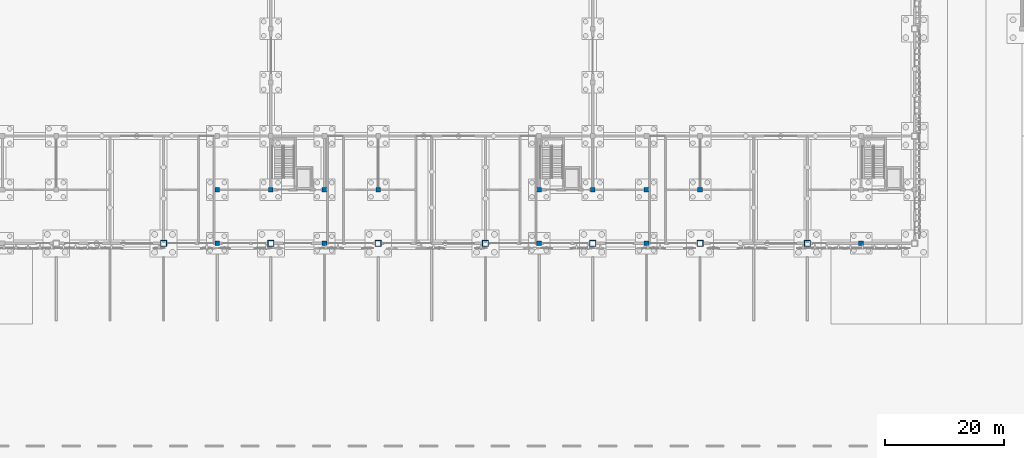
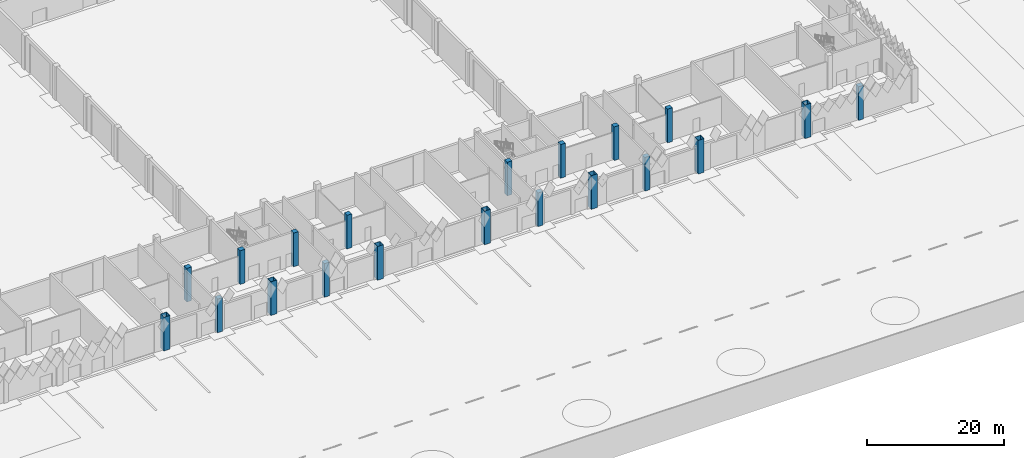
# One storey, part 20 of 198: 20 columns.
"""IFC4 building model written with IfcOpenShell, lengths in metres."""

from ifc_helpers import new_model, si_unit, direction, frame, origin, origin_2d, place, context, subcontext, project, spatial, rectangle, hollow_rectangle, extrude, material, material_profile, profile_set, type_object, element, save


model = new_model("IFC4")

# Units and contexts
model_context = context("Model", 3, precision=1e-05, world=origin(), true_north=direction((0.0, 1.0)))
body_context = subcontext(model_context, "Body", "Model", "MODEL_VIEW")
ifc_project = project(units=[si_unit("LENGTHUNIT", "METRE"), si_unit("AREAUNIT", "SQUARE_METRE"), si_unit("VOLUMEUNIT", "CUBIC_METRE"), si_unit("PLANEANGLEUNIT", "RADIAN"), si_unit("MASSUNIT", "GRAM", prefix="KILO")], contexts=[model_context])

# Site, building, storey
site_placement = place(None, origin())
site = spatial("IfcSite", under=ifc_project, at=site_placement, CompositionType="ELEMENT")
building_placement = place(site_placement, origin())
building = spatial("IfcBuilding", under=site, at=building_placement, Name="Opaline Strait Convention Centre", CompositionType="ELEMENT")
storey_placement = place(building_placement, origin())
storey = spatial("IfcBuildingStorey", under=building, at=storey_placement, Name="L00", CompositionType="ELEMENT", Elevation=0.0)

# Columns
ifc_material_1 = material(Name="Steel Q355B", Category="steel")
ifc_material_profile_1 = material_profile(ifc_material_1, hollow_rectangle(XDim=1.0, YDim=1.0, WallThickness=0.031982421875, at=origin_2d()), Name="BOX 1000x1000x32")
ifc_profile_set_1 = profile_set([ifc_material_profile_1], Name="Steel Q355B")
column_type_1 = type_object("IfcColumnType", Name="CFT column BOX 1000x1000x32 C60 fill", PredefinedType="COLUMN", material=ifc_profile_set_1)
for number, where, z_axis, x_axis, name in (
    (1, (135.0, 54.0, 0.0), (0.0, 0.0, 1.0), (1.0, 0.0, 0.0), "Roof column XC-10"),
    (2, (153.0, 54.0, 0.0), (0.0, 0.0, 1.0), (1.0, 0.0, 0.0), "Roof column XC-12"),
    (3, (171.0, 54.0, 0.0), (0.0, 0.0, 1.0), (1.0, 0.0, 0.0), "Roof column XC-14"),
    (4, (189.0, 54.0, 0.0), (0.0, 0.0, 1.0), (1.0, 0.0, 0.0), "Roof column XC-16"),
    (5, (207.0, 54.0, 0.0), (0.0, 0.0, 1.0), (1.0, 0.0, 0.0), "Roof column XC-18"),
    (6, (225.0, 54.0, 0.0), (0.0, 0.0, 1.0), (1.0, 0.0, 0.0), "Roof column XC-20"),
    (7, (243.0, 54.0, 0.0), (0.0, 0.0, 1.0), (1.0, 0.0, 0.0), "Roof column XC-22"),
):
    element("IfcColumn", number, at=place(storey_placement, frame(where, z_axis=z_axis, x_axis=x_axis)), inside=storey, type_object=column_type_1, Name=name, ObjectType="XC1", PredefinedType="COLUMN", context=body_context, shape_type="SweptSolid", body=[
        extrude(hollow_rectangle(XDim=1.0, YDim=1.0, WallThickness=0.031982421875, at=origin_2d()), origin(), (0.0, 0.0, 1.0), 6.0),
    ])
ifc_material_2 = material(Name="Concrete C40", Category="concrete")
ifc_material_profile_2 = material_profile(ifc_material_2, rectangle(XDim=0.800048828125, YDim=0.800048828125, at=origin_2d()), Name="RC 800x800")
ifc_profile_set_2 = profile_set([ifc_material_profile_2], Name="Concrete C40")
column_type_2 = type_object("IfcColumnType", Name="RC column 800x800 C40", PredefinedType="COLUMN", material=ifc_profile_set_2)
for number, where, z_axis, x_axis, name in (
    (8, (144.0, 54.0, 0.0), (0.0, 0.0, 1.0), (1.0, 0.0, 0.0), "Strip column XC-32"),
    (9, (162.0, 54.0, 0.0), (0.0, 0.0, 1.0), (1.0, 0.0, 0.0), "Strip column XC-33"),
    (10, (198.0, 54.0, 0.0), (0.0, 0.0, 1.0), (1.0, 0.0, 0.0), "Strip column XC-34"),
    (11, (216.0, 54.0, 0.0), (0.0, 0.0, 1.0), (1.0, 0.0, 0.0), "Strip column XC-35"),
    (12, (252.0, 54.0, 0.0), (0.0, 0.0, 1.0), (1.0, 0.0, 0.0), "Strip column XC-36"),
    (13, (144.0, 63.0, 0.0), (0.0, 0.0, 1.0), (1.0, 0.0, 0.0), "Strip column XC-40"),
    (14, (153.0, 63.0, 0.0), (0.0, 0.0, 1.0), (1.0, 0.0, 0.0), "Strip column XC-41"),
    (15, (162.0, 63.0, 0.0), (0.0, 0.0, 1.0), (1.0, 0.0, 0.0), "Strip column XC-42"),
    (16, (171.0, 63.0, 0.0), (0.0, 0.0, 1.0), (1.0, 0.0, 0.0), "Strip column XC-43"),
    (17, (198.0, 63.0, 0.0), (0.0, 0.0, 1.0), (1.0, 0.0, 0.0), "Strip column XC-44"),
    (18, (207.0, 63.0, 0.0), (0.0, 0.0, 1.0), (1.0, 0.0, 0.0), "Strip column XC-45"),
    (19, (216.0, 63.0, 0.0), (0.0, 0.0, 1.0), (1.0, 0.0, 0.0), "Strip column XC-46"),
    (20, (225.0, 63.0, 0.0), (0.0, 0.0, 1.0), (1.0, 0.0, 0.0), "Strip column XC-47"),
):
    element("IfcColumn", number, at=place(storey_placement, frame(where, z_axis=z_axis, x_axis=x_axis)), inside=storey, type_object=column_type_2, Name=name, ObjectType="XC2", PredefinedType="COLUMN", context=body_context, shape_type="SweptSolid", body=[
        extrude(rectangle(XDim=0.800048828125, YDim=0.800048828125, at=origin_2d()), origin(), (0.0, 0.0, 1.0), 6.0),
    ])

save(model, "model.ifc")
